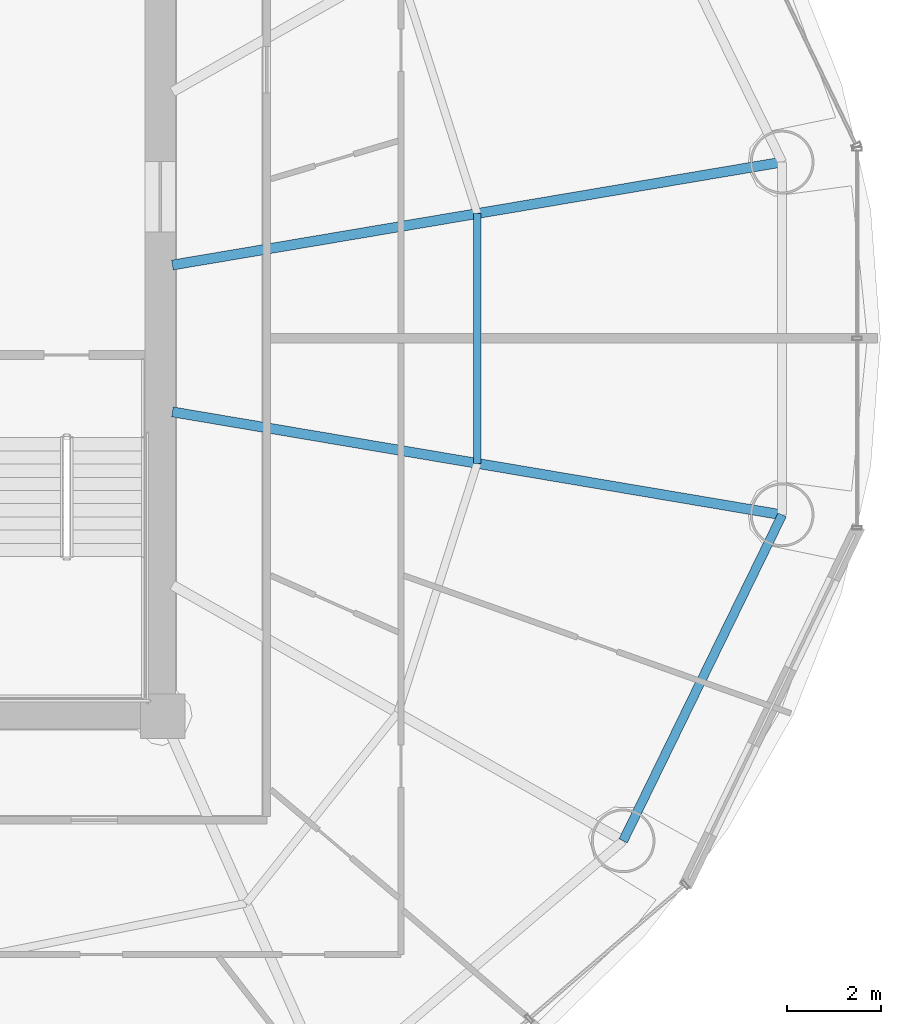
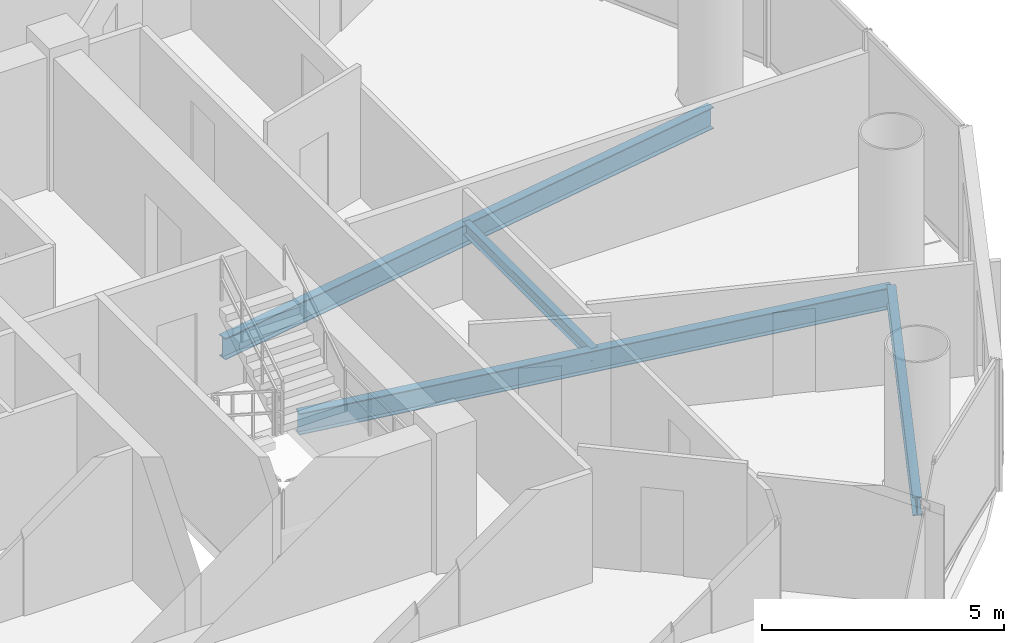
# One storey, part 11 of 27: 4 beams.
"""IFC4 building model written with IfcOpenShell, lengths in metres."""

from ifc_helpers import new_model, si_unit, direction, frame, origin, origin_2d, place, context, subcontext, project, spatial, i_section, extrude, material, material_profile, profile_set, type_object, element, save


model = new_model("IFC4")

# Units and contexts
model_context = context("Model", 3, precision=1e-05, world=origin(), true_north=direction((-0.2419218956, 0.970295726276)))
body_context = subcontext(model_context, "Body", "Model", "MODEL_VIEW")
ifc_project = project(units=[si_unit("LENGTHUNIT", "METRE"), si_unit("AREAUNIT", "SQUARE_METRE"), si_unit("VOLUMEUNIT", "CUBIC_METRE"), si_unit("PLANEANGLEUNIT", "RADIAN"), si_unit("MASSUNIT", "GRAM", prefix="KILO")], contexts=[model_context])

# Site, building, storey
site_placement = place(None, origin())
site = spatial("IfcSite", under=ifc_project, at=site_placement, CompositionType="ELEMENT")
building_placement = place(site_placement, origin())
building = spatial("IfcBuilding", under=site, at=building_placement, Name="Cobrevalo Terracotta Tower", CompositionType="ELEMENT")
storey_placement = place(building_placement, frame((0.0, 0.0, 157.0)))
storey = spatial("IfcBuildingStorey", under=building, at=storey_placement, Name="L41", CompositionType="ELEMENT", Elevation=157.0)

# Beams
ifc_material = material(Name="Steel S355", Category="steel")
ifc_material_profile_1 = material_profile(ifc_material, i_section(OverallWidth=0.2109375, OverallDepth=0.5390625, WebThickness=0.01171875, FlangeThickness=0.018798828125, at=origin_2d()), Name="W 530x109")
ifc_profile_set_1 = profile_set([ifc_material_profile_1], Name="Steel S355")
beam_type_1 = type_object("IfcBeamType", Name="Structural Beam W 530x109 (Steel S355)", PredefinedType="BEAM", material=ifc_profile_set_1)
for number, where, z_axis, x_axis, name in (
    (1, (60.11669921875, 30.535888671875, -0.53955078125), (-0.986032794282, -0.166551279191, 0.0), (0.166551279191, -0.986032794282, 0.0), "L41 radial floor girder 01"),
    (2, (60.11669921875, 23.06396484375, -0.53955078125), (-0.986029732232, 0.166569406417, 0.0), (-0.166569406417, -0.986029732232, 0.0), "L41 radial floor girder 16"),
):
    element("IfcBeam", number, at=place(storey_placement, frame(where, z_axis=z_axis, x_axis=x_axis)), inside=storey, type_object=beam_type_1, Name=name, PredefinedType="BEAM", context=body_context, shape_type="SweptSolid", body=[
        extrude(i_section(OverallWidth=0.2109375, OverallDepth=0.5390625, WebThickness=0.01171875, FlangeThickness=0.018798828125, at=origin_2d()), origin(), (0.0, 0.0, 1.0), 13.094482421875),
    ])
ifc_material_profile_2 = material_profile(ifc_material, i_section(OverallWidth=0.1650390625, OverallDepth=0.31005859375, WebThickness=0.005859375, FlangeThickness=0.009765625, at=origin_2d()), Name="W 310x38.7")
ifc_profile_set_2 = profile_set([ifc_material_profile_2], Name="Steel S355")
beam_type_2 = type_object("IfcBeamType", Name="Structural Joist W 310x38.7 (Steel S355)", PredefinedType="JOIST", material=ifc_profile_set_2)
beam_1_placement = place(storey_placement, frame((53.660888671875, 24.154541015625, -0.425048828125), z_axis=(0.0, 1.0, 0.0), x_axis=(-1.0, 0.0, 0.0)))
element("IfcBeam", 3, at=beam_1_placement, inside=storey, type_object=beam_type_2, Name="L41 circumferential secondary floor joist 16", PredefinedType="JOIST", context=body_context, shape_type="SweptSolid", body=[
    extrude(i_section(OverallWidth=0.1650390625, OverallDepth=0.31005859375, WebThickness=0.005859375, FlangeThickness=0.009765625, at=origin_2d()), origin(), (0.0, 0.0, 1.0), 5.291015625),
])
ifc_material_profile_3 = material_profile(ifc_material, i_section(OverallWidth=0.194091796875, OverallDepth=0.468994140625, WebThickness=0.011474609375, FlangeThickness=0.0205078125, at=origin_2d()), Name="W 460x106")
ifc_profile_set_3 = profile_set([ifc_material_profile_3], Name="Steel S355")
beam_type_3 = type_object("IfcBeamType", Name="Structural Spandrel W 460x106 (Steel S355)", PredefinedType="SPANDREL", material=ifc_profile_set_3)
beam_2_placement = place(storey_placement, frame((56.749755859375, 16.160888671875, -0.50439453125), z_axis=(0.438380418332, 0.898789524206, 0.0), x_axis=(-0.898789524206, 0.438380418332, 0.0)))
element("IfcBeam", 4, at=beam_2_placement, inside=storey, type_object=beam_type_3, Name="L41 perimeter ring spandrel 15", PredefinedType="SPANDREL", context=body_context, shape_type="SweptSolid", body=[
    extrude(i_section(OverallWidth=0.194091796875, OverallDepth=0.468994140625, WebThickness=0.011474609375, FlangeThickness=0.0205078125, at=origin_2d()), origin(), (0.0, 0.0, 1.0), 7.680419921875),
])

save(model, "model.ifc")
